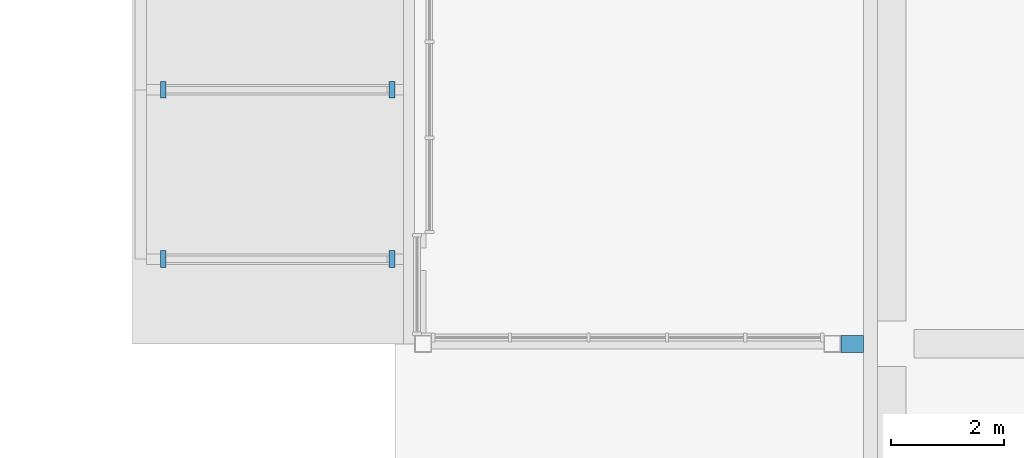
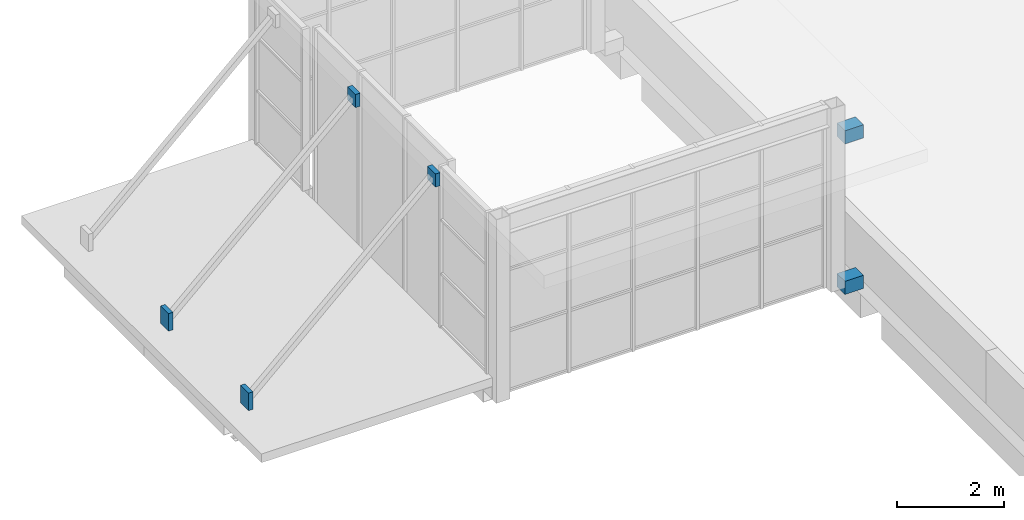
# One storey, part 107 of 182: 6 discrete accessories.
"""IFC4 building model written with IfcOpenShell, lengths in metres."""

from ifc_helpers import new_model, si_unit, direction, frame, origin, origin_2d, place, context, subcontext, project, spatial, rectangle, extrude, material, type_object, element, save


model = new_model("IFC4")

# Units and contexts
model_context = context("Model", 3, precision=1e-05, world=origin(), true_north=direction((0.0, 1.0)))
body_context = subcontext(model_context, "Body", "Model", "MODEL_VIEW")
ifc_project = project(units=[si_unit("LENGTHUNIT", "METRE"), si_unit("AREAUNIT", "SQUARE_METRE"), si_unit("VOLUMEUNIT", "CUBIC_METRE"), si_unit("PLANEANGLEUNIT", "RADIAN"), si_unit("MASSUNIT", "GRAM", prefix="KILO")], contexts=[model_context])

# Site, building, storey
site_placement = place(None, origin())
site = spatial("IfcSite", under=ifc_project, at=site_placement, CompositionType="ELEMENT")
building_placement = place(site_placement, origin())
building = spatial("IfcBuilding", under=site, at=building_placement, Name="Silverbay Arena", CompositionType="ELEMENT")
storey_placement = place(building_placement, frame((0.0, 0.0, 11.5)))
storey = spatial("IfcBuildingStorey", under=building, at=storey_placement, Name="L02", CompositionType="ELEMENT", Elevation=11.5)

# Discrete accessories
ifc_material = material(Name="Steel S355", Category="steel")
discrete_accessory_type = type_object("IfcDiscreteAccessoryType", Name="Steel bracket plate", PredefinedType="BRACKET", material=ifc_material)
for number, where, z_axis, x_axis, name in (
    (1, (26.300048828125, 54.0, -0.14990234375), (0.0, 0.0, 1.0), (1.0, 0.0, 0.0), "Hall column bracket plate"),
    (2, (26.300048828125, 54.0, 3.29638671875), (0.0, 0.0, 1.0), (1.0, 0.0, 0.0), "Hall column bracket plate"),
):
    element("IfcDiscreteAccessory", number, at=place(storey_placement, frame(where, z_axis=z_axis, x_axis=x_axis)), inside=storey, type_object=discrete_accessory_type, Name=name, PredefinedType="BRACKET", context=body_context, shape_type="SweptSolid", body=[
        extrude(rectangle(XDim=0.39990234375, YDim=0.300048828125, at=origin_2d()), origin(), (0.0, 0.0, 1.0), 0.300048828125),
    ])
discrete_accessory_1_placement = place(storey_placement, frame((18.14990234375, 55.5, 4.2001953125), z_axis=(0.0, 0.0, 1.0), x_axis=(1.0, 0.0, 0.0)))
element("IfcDiscreteAccessory", 3, at=discrete_accessory_1_placement, inside=storey, type_object=discrete_accessory_type, Name="Canopy tie roof lug plate", PredefinedType="BRACKET", context=body_context, shape_type="SweptSolid", body=[
    extrude(rectangle(XDim=0.10009765625, YDim=0.300048828125, at=origin_2d()), origin(), (0.0, 0.0, 1.0), 0.300048828125),
])
discrete_accessory_2_placement = place(storey_placement, frame((14.10009765625, 55.5, 0.5), z_axis=(0.0, 0.0, 1.0), x_axis=(1.0, 0.0, 0.0)))
element("IfcDiscreteAccessory", 4, at=discrete_accessory_2_placement, inside=storey, type_object=discrete_accessory_type, Name="Canopy tie edge lug plate", PredefinedType="BRACKET", context=body_context, shape_type="SweptSolid", body=[
    extrude(rectangle(XDim=0.10009765625, YDim=0.300048828125, at=origin_2d()), origin(), (0.0, 0.0, 1.0), 0.39990234375),
])
discrete_accessory_3_placement = place(storey_placement, frame((18.14990234375, 58.5, 4.2001953125), z_axis=(0.0, 0.0, 1.0), x_axis=(1.0, 0.0, 0.0)))
element("IfcDiscreteAccessory", 5, at=discrete_accessory_3_placement, inside=storey, type_object=discrete_accessory_type, Name="Canopy tie roof lug plate", PredefinedType="BRACKET", context=body_context, shape_type="SweptSolid", body=[
    extrude(rectangle(XDim=0.10009765625, YDim=0.300048828125, at=origin_2d()), origin(), (0.0, 0.0, 1.0), 0.300048828125),
])
discrete_accessory_4_placement = place(storey_placement, frame((14.10009765625, 58.5, 0.5), z_axis=(0.0, 0.0, 1.0), x_axis=(1.0, 0.0, 0.0)))
element("IfcDiscreteAccessory", 6, at=discrete_accessory_4_placement, inside=storey, type_object=discrete_accessory_type, Name="Canopy tie edge lug plate", PredefinedType="BRACKET", context=body_context, shape_type="SweptSolid", body=[
    extrude(rectangle(XDim=0.10009765625, YDim=0.300048828125, at=origin_2d()), origin(), (0.0, 0.0, 1.0), 0.39990234375),
])

save(model, "model.ifc")
